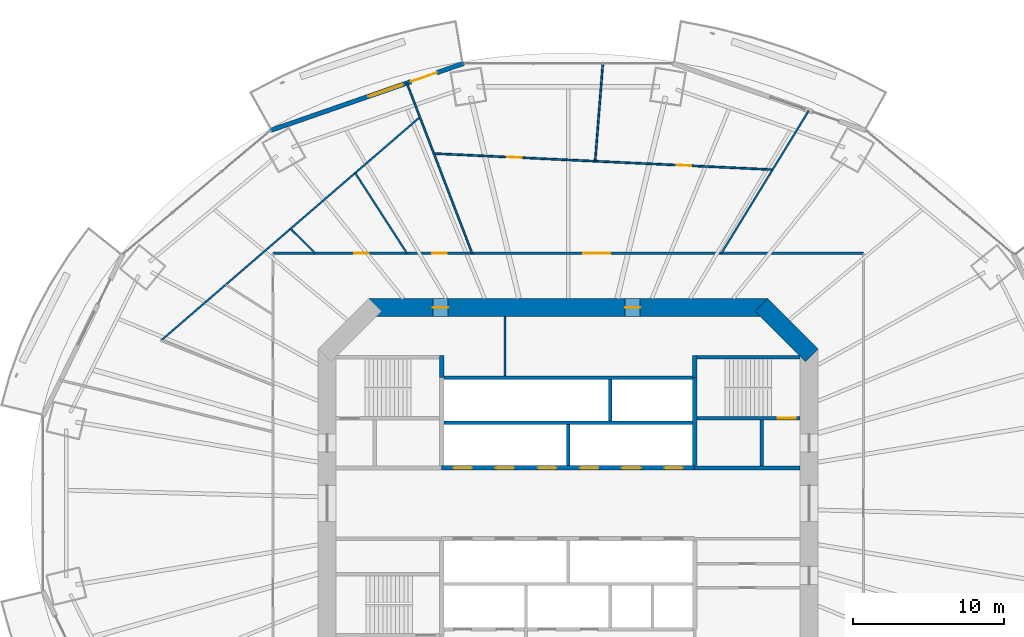
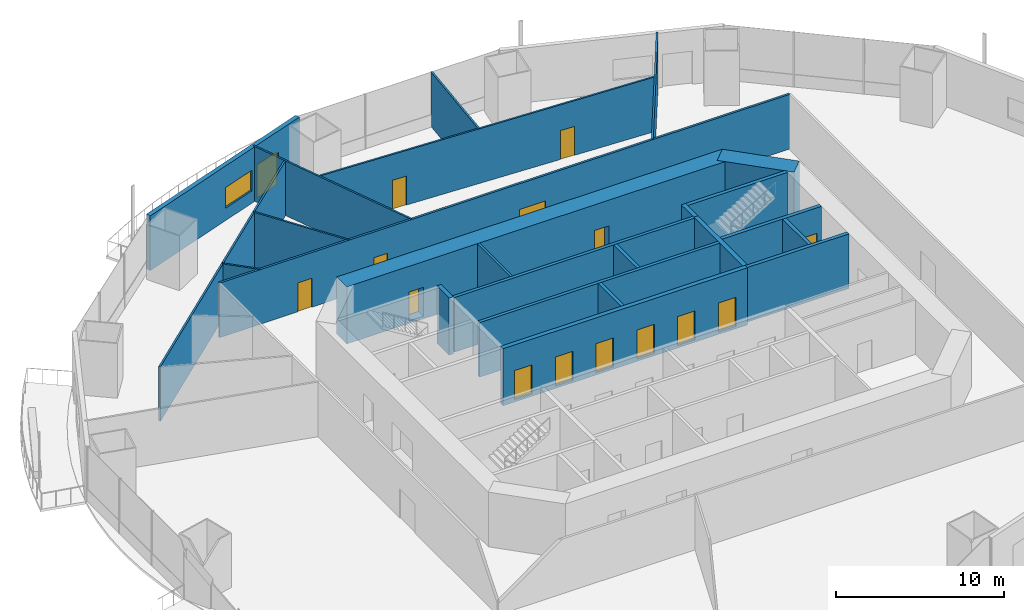
# One storey, part 15 of 22: 24 walls, 15 doors, 1 window, 16 openings.
"""IFC4 building model written with IfcOpenShell, lengths in metres."""

from ifc_helpers import new_model, si_unit, direction, frame, frame_2d, origin, place, context, subcontext, project, spatial, rectangle, extrude, material, layer, layer_set, type_object, element, fill, save


model = new_model("IFC4")

# Units and contexts
model_context = context("Model", 3, precision=1e-05, world=origin(), true_north=direction((0.0, 1.0)))
body_context = subcontext(model_context, "Body", "Model", "MODEL_VIEW")
ifc_project = project(units=[si_unit("LENGTHUNIT", "METRE"), si_unit("AREAUNIT", "SQUARE_METRE"), si_unit("VOLUMEUNIT", "CUBIC_METRE"), si_unit("PLANEANGLEUNIT", "RADIAN"), si_unit("MASSUNIT", "GRAM", prefix="KILO")], contexts=[model_context])

# Site, building, storey
site_placement = place(None, origin())
site = spatial("IfcSite", under=ifc_project, at=site_placement, CompositionType="ELEMENT")
building_placement = place(site_placement, origin())
building = spatial("IfcBuilding", under=site, at=building_placement, Name="Marenthal Gate Tower", CompositionType="ELEMENT")
storey_placement = place(building_placement, frame((0.0, 0.0, 74.5)))
storey = spatial("IfcBuildingStorey", under=building, at=storey_placement, Name="L14", CompositionType="ELEMENT", Elevation=74.5)

# Wall
ifc_material_1 = material(Name="Concrete 60 MPa", Category="concrete")
ifc_layer_1 = layer(ifc_material_1, 1.199951171875)
ifc_layer_set_1 = layer_set([ifc_layer_1], Name="Core shear wall 1200")
wall_type_1 = type_object("IfcWallType", Name="Core shear wall 1200", PredefinedType="SHEAR", material=ifc_layer_set_1)
wall_1_placement = place(storey_placement, frame((16.17578125, 9.82421875, -0.179931640625), z_axis=(0.0, 0.0, 1.0), x_axis=(-0.707106781187, 0.707106781187, 0.0)))
element("IfcWall", 1, at=wall_1_placement, inside=storey, type_object=wall_type_1, Name="Core wall 03", PredefinedType="SHEAR", context=body_context, shape_type="SweptSolid", body=[
    extrude(rectangle(XDim=4.73974609375, YDim=1.199951171875, at=frame_2d((2.369873046875, 0.0))), origin(), (0.0, 0.0, 1.0), 4.14990234375),
])

# Wall, openings, doors
wall_2_placement = place(storey_placement, frame((13.24853515625, 13.0, -0.179931640625), z_axis=(0.0, 0.0, 1.0), x_axis=(-1.0, 0.0, 0.0)))
wall_2 = element("IfcWall", 2, at=wall_2_placement, inside=storey, type_object=wall_type_1, Name="Core wall 04", PredefinedType="SHEAR", context=body_context, shape_type="SweptSolid", body=[
    extrude(rectangle(XDim=26.4970703125, YDim=1.199951171875, at=frame_2d((13.24853515625, 0.0))), origin(), (0.0, 0.0, 1.0), 4.14990234375),
])
opening_1_placement = place(wall_2_placement, frame((21.224609375, 0.0, 0.179931640625)))
opening_1 = element("IfcOpeningElement", 3, at=opening_1_placement, cuts=wall_2, Name="Opening D005.01", PredefinedType="OPENING", context=body_context, shape_type="SweptSolid", body=[
    extrude(rectangle(XDim=1.0, YDim=2.10009765625, at=frame_2d((0.5, 1.050048828125))), frame((0.0, 0.60986328125, 0.0), z_axis=(0.0, -1.0, 0.0), x_axis=(1.0, 0.0, 0.0)), (0.0, 0.0, 1.0), 1.219970703125),
])
opening_2_placement = place(wall_2_placement, frame((8.472412109375, 0.0, 0.179931640625)))
opening_2 = element("IfcOpeningElement", 4, at=opening_2_placement, cuts=wall_2, Name="Opening D005.02", PredefinedType="OPENING", context=body_context, shape_type="SweptSolid", body=[
    extrude(rectangle(XDim=1.0, YDim=2.10009765625, at=frame_2d((0.5, 1.050048828125))), frame((0.0, 0.60986328125, 0.0), z_axis=(0.0, -1.0, 0.0), x_axis=(1.0, 0.0, 0.0)), (0.0, 0.0, 1.0), 1.219970703125),
])
ifc_material_2 = material(Name="Steel fire door", Category="steel")
door_type_1 = type_object("IfcDoorType", Name="Fire door FD 45 1000 x 2100", OperationType="NOTDEFINED", PredefinedType="DOOR", material=ifc_material_2)
door_1_placement = place(opening_1_placement, origin())
door_1 = element("IfcDoor", 5, at=door_1_placement, inside=storey, type_object=door_type_1, Name="Door D005.01", OperationType="SINGLE_SWING_RIGHT", OverallHeight=2.10009765625, OverallWidth=1.0, PredefinedType="DOOR", context=body_context, shape_type="SweptSolid", body=[
    extrude(rectangle(XDim=1.0, YDim=2.10009765625, at=frame_2d((0.5, 1.050048828125))), frame((0.0, 0.02490234375, 0.0), z_axis=(0.0, -1.0, 0.0), x_axis=(1.0, 0.0, 0.0)), (0.0, 0.0, 1.0), 0.050048828125),
])
fill(opening_1, door_1)
door_2_placement = place(opening_2_placement, origin())
door_2 = element("IfcDoor", 6, at=door_2_placement, inside=storey, type_object=door_type_1, Name="Door D005.02", OperationType="SINGLE_SWING_RIGHT", OverallHeight=2.10009765625, OverallWidth=1.0, PredefinedType="DOOR", context=body_context, shape_type="SweptSolid", body=[
    extrude(rectangle(XDim=1.0, YDim=2.10009765625, at=frame_2d((0.5, 1.050048828125))), frame((0.0, 0.02490234375, 0.0), z_axis=(0.0, -1.0, 0.0), x_axis=(1.0, 0.0, 0.0)), (0.0, 0.0, 1.0), 0.050048828125),
])
fill(opening_2, door_2)

ifc_material_3 = material(Name="Concrete 50 MPa", Category="concrete")
ifc_layer_2 = layer(ifc_material_3, 0.300048828125)
ifc_layer_set_2 = layer_set([ifc_layer_2], Name="Hoistway shear wall 300")
wall_type_2 = type_object("IfcWallType", Name="Hoistway shear wall 300", PredefinedType="SHEAR", material=ifc_layer_set_2)
wall_3_placement = place(storey_placement, frame((-8.39990234375, 2.35009765625, -0.179931640625), z_axis=(0.0, 0.0, 1.0), x_axis=(1.0, 0.0, 0.0)))
wall_3 = element("IfcWall", 7, at=wall_3_placement, inside=storey, type_object=wall_type_2, Name="Hoistway wall 20", PredefinedType="SHEAR", context=body_context, shape_type="SweptSolid", body=[
    extrude(rectangle(XDim=16.7998046875, YDim=0.300048828125, at=frame_2d((8.39990234375, 0.0))), origin(), (0.0, 0.0, 1.0), 4.14990234375),
])
opening_3_placement = place(wall_3_placement, frame((0.800048828125, 0.0, 0.179931640625)))
opening_3 = element("IfcOpeningElement", 8, at=opening_3_placement, cuts=wall_3, Name="Opening LD-LP1", PredefinedType="OPENING", context=body_context, shape_type="SweptSolid", body=[
    extrude(rectangle(XDim=1.199951171875, YDim=2.10009765625, at=frame_2d((0.60009765625, 1.050048828125))), frame((0.0, 0.16015625, 0.0), z_axis=(0.0, -1.0, 0.0), x_axis=(1.0, 0.0, 0.0)), (0.0, 0.0, 1.0), 0.320068359375),
])
opening_4_placement = place(wall_3_placement, frame((3.60009765625, 0.0, 0.179931640625)))
opening_4 = element("IfcOpeningElement", 9, at=opening_4_placement, cuts=wall_3, Name="Opening LD-LP2", PredefinedType="OPENING", context=body_context, shape_type="SweptSolid", body=[
    extrude(rectangle(XDim=1.199951171875, YDim=2.10009765625, at=frame_2d((0.60009765625, 1.050048828125))), frame((0.0, 0.16015625, 0.0), z_axis=(0.0, -1.0, 0.0), x_axis=(1.0, 0.0, 0.0)), (0.0, 0.0, 1.0), 0.320068359375),
])
opening_5_placement = place(wall_3_placement, frame((6.39990234375, 0.0, 0.179931640625)))
opening_5 = element("IfcOpeningElement", 10, at=opening_5_placement, cuts=wall_3, Name="Opening LD-LP3", PredefinedType="OPENING", context=body_context, shape_type="SweptSolid", body=[
    extrude(rectangle(XDim=1.199951171875, YDim=2.10009765625, at=frame_2d((0.60009765625, 1.050048828125))), frame((0.0, 0.16015625, 0.0), z_axis=(0.0, -1.0, 0.0), x_axis=(1.0, 0.0, 0.0)), (0.0, 0.0, 1.0), 0.320068359375),
])
opening_6_placement = place(wall_3_placement, frame((9.199951171875, 0.0, 0.179931640625)))
opening_6 = element("IfcOpeningElement", 11, at=opening_6_placement, cuts=wall_3, Name="Opening LD-LP4", PredefinedType="OPENING", context=body_context, shape_type="SweptSolid", body=[
    extrude(rectangle(XDim=1.199951171875, YDim=2.10009765625, at=frame_2d((0.60009765625, 1.050048828125))), frame((0.0, 0.16015625, 0.0), z_axis=(0.0, -1.0, 0.0), x_axis=(1.0, 0.0, 0.0)), (0.0, 0.0, 1.0), 0.320068359375),
])
opening_7_placement = place(wall_3_placement, frame((12.0, 0.0, 0.179931640625)))
opening_7 = element("IfcOpeningElement", 12, at=opening_7_placement, cuts=wall_3, Name="Opening LD-LP5", PredefinedType="OPENING", context=body_context, shape_type="SweptSolid", body=[
    extrude(rectangle(XDim=1.199951171875, YDim=2.10009765625, at=frame_2d((0.60009765625, 1.050048828125))), frame((0.0, 0.16015625, 0.0), z_axis=(0.0, -1.0, 0.0), x_axis=(1.0, 0.0, 0.0)), (0.0, 0.0, 1.0), 0.320068359375),
])
opening_8_placement = place(wall_3_placement, frame((14.800048828125, 0.0, 0.179931640625)))
opening_8 = element("IfcOpeningElement", 13, at=opening_8_placement, cuts=wall_3, Name="Opening LD-LP6", PredefinedType="OPENING", context=body_context, shape_type="SweptSolid", body=[
    extrude(rectangle(XDim=1.199951171875, YDim=2.10009765625, at=frame_2d((0.60009765625, 1.050048828125))), frame((0.0, 0.16015625, 0.0), z_axis=(0.0, -1.0, 0.0), x_axis=(1.0, 0.0, 0.0)), (0.0, 0.0, 1.0), 0.320068359375),
])
ifc_material_4 = material(Name="Stainless steel sliding door", Category="steel")
door_type_2 = type_object("IfcDoorType", Name="Lift landing door FD 90 1200 x 2100", OperationType="DOUBLE_DOOR_SLIDING", PredefinedType="DOOR", material=ifc_material_4)
door_3_placement = place(opening_3_placement, origin())
door_3 = element("IfcDoor", 14, at=door_3_placement, inside=storey, type_object=door_type_2, Name="Lift landing door LP1", OperationType="DOUBLE_DOOR_SLIDING", OverallHeight=2.10009765625, OverallWidth=1.199951171875, PredefinedType="DOOR", context=body_context, shape_type="SweptSolid", body=[
    extrude(rectangle(XDim=1.199951171875, YDim=2.10009765625, at=frame_2d((0.60009765625, 1.050048828125))), frame((0.0, 0.02490234375, 0.0), z_axis=(0.0, -1.0, 0.0), x_axis=(1.0, 0.0, 0.0)), (0.0, 0.0, 1.0), 0.050048828125),
])
fill(opening_3, door_3)
door_4_placement = place(opening_4_placement, origin())
door_4 = element("IfcDoor", 15, at=door_4_placement, inside=storey, type_object=door_type_2, Name="Lift landing door LP2", OperationType="DOUBLE_DOOR_SLIDING", OverallHeight=2.10009765625, OverallWidth=1.199951171875, PredefinedType="DOOR", context=body_context, shape_type="SweptSolid", body=[
    extrude(rectangle(XDim=1.199951171875, YDim=2.10009765625, at=frame_2d((0.60009765625, 1.050048828125))), frame((0.0, 0.02490234375, 0.0), z_axis=(0.0, -1.0, 0.0), x_axis=(1.0, 0.0, 0.0)), (0.0, 0.0, 1.0), 0.050048828125),
])
fill(opening_4, door_4)
door_5_placement = place(opening_5_placement, origin())
door_5 = element("IfcDoor", 16, at=door_5_placement, inside=storey, type_object=door_type_2, Name="Lift landing door LP3", OperationType="DOUBLE_DOOR_SLIDING", OverallHeight=2.10009765625, OverallWidth=1.199951171875, PredefinedType="DOOR", context=body_context, shape_type="SweptSolid", body=[
    extrude(rectangle(XDim=1.199951171875, YDim=2.10009765625, at=frame_2d((0.60009765625, 1.050048828125))), frame((0.0, 0.02490234375, 0.0), z_axis=(0.0, -1.0, 0.0), x_axis=(1.0, 0.0, 0.0)), (0.0, 0.0, 1.0), 0.050048828125),
])
fill(opening_5, door_5)
door_6_placement = place(opening_6_placement, origin())
door_6 = element("IfcDoor", 17, at=door_6_placement, inside=storey, type_object=door_type_2, Name="Lift landing door LP4", OperationType="DOUBLE_DOOR_SLIDING", OverallHeight=2.10009765625, OverallWidth=1.199951171875, PredefinedType="DOOR", context=body_context, shape_type="SweptSolid", body=[
    extrude(rectangle(XDim=1.199951171875, YDim=2.10009765625, at=frame_2d((0.60009765625, 1.050048828125))), frame((0.0, 0.02490234375, 0.0), z_axis=(0.0, -1.0, 0.0), x_axis=(1.0, 0.0, 0.0)), (0.0, 0.0, 1.0), 0.050048828125),
])
fill(opening_6, door_6)
door_7_placement = place(opening_7_placement, origin())
door_7 = element("IfcDoor", 18, at=door_7_placement, inside=storey, type_object=door_type_2, Name="Lift landing door LP5", OperationType="DOUBLE_DOOR_SLIDING", OverallHeight=2.10009765625, OverallWidth=1.199951171875, PredefinedType="DOOR", context=body_context, shape_type="SweptSolid", body=[
    extrude(rectangle(XDim=1.199951171875, YDim=2.10009765625, at=frame_2d((0.60009765625, 1.050048828125))), frame((0.0, 0.02490234375, 0.0), z_axis=(0.0, -1.0, 0.0), x_axis=(1.0, 0.0, 0.0)), (0.0, 0.0, 1.0), 0.050048828125),
])
fill(opening_7, door_7)
door_8_placement = place(opening_8_placement, origin())
door_8 = element("IfcDoor", 19, at=door_8_placement, inside=storey, type_object=door_type_2, Name="Lift landing door LP6", OperationType="DOUBLE_DOOR_SLIDING", OverallHeight=2.10009765625, OverallWidth=1.199951171875, PredefinedType="DOOR", context=body_context, shape_type="SweptSolid", body=[
    extrude(rectangle(XDim=1.199951171875, YDim=2.10009765625, at=frame_2d((0.60009765625, 1.050048828125))), frame((0.0, 0.02490234375, 0.0), z_axis=(0.0, -1.0, 0.0), x_axis=(1.0, 0.0, 0.0)), (0.0, 0.0, 1.0), 0.050048828125),
])
fill(opening_8, door_8)

# Walls
wall_4_placement = place(storey_placement, frame((8.39990234375, 2.5, -0.179931640625), z_axis=(0.0, 0.0, 1.0), x_axis=(0.0, 1.0, 0.0)))
element("IfcWall", 20, at=wall_4_placement, inside=storey, type_object=wall_type_2, Name="Hoistway wall 44", PredefinedType="SHEAR", context=body_context, shape_type="SweptSolid", body=[
    extrude(rectangle(XDim=5.85009765625, YDim=0.300048828125, at=frame_2d((2.925048828125, 0.0))), origin(), (0.0, 0.0, 1.0), 4.14990234375),
])
ifc_material_5 = material(Name="Concrete 40 MPa", Category="concrete")
ifc_layer_3 = layer(ifc_material_5, 0.219970703125)
ifc_layer_set_3 = layer_set([ifc_layer_3], Name="Hoistway wall 220")
wall_type_3 = type_object("IfcWallType", Name="Hoistway wall 220", PredefinedType="STANDARD", material=ifc_layer_set_3)
for number, where, z_axis, x_axis, name in (
    (21, (-8.25, 5.35009765625, 0.0), (0.0, 0.0, 1.0), (1.0, 0.0, 0.0), "Hoistway wall 22"),
    (22, (-8.25, 8.35009765625, 0.0), (0.0, 0.0, 1.0), (1.0, 0.0, 0.0), "Hoistway wall 25"),
):
    element("IfcWall", number, at=place(storey_placement, frame(where, z_axis=z_axis, x_axis=x_axis)), inside=storey, type_object=wall_type_3, Name=name, PredefinedType="STANDARD", context=body_context, shape_type="SweptSolid", body=[
        extrude(rectangle(XDim=16.5, YDim=0.219970703125, at=frame_2d((8.25, 0.0))), origin(), (0.0, 0.0, 1.0), 3.969970703125),
    ])
wall_5_placement = place(storey_placement, frame((0.0, 2.5, 0.0), z_axis=(0.0, 0.0, 1.0), x_axis=(0.0, 1.0, 0.0)))
element("IfcWall", 23, at=wall_5_placement, inside=storey, type_object=wall_type_3, Name="Hoistway wall 38", PredefinedType="STANDARD", context=body_context, shape_type="SweptSolid", body=[
    extrude(rectangle(XDim=2.739990234375, YDim=0.219970703125, at=frame_2d((1.3701171875, 0.0))), origin(), (0.0, 0.0, 1.0), 3.969970703125),
])
wall_6_placement = place(storey_placement, frame((2.800048828125, 5.4599609375, 0.0), z_axis=(0.0, 0.0, 1.0), x_axis=(0.0, 1.0, 0.0)))
element("IfcWall", 24, at=wall_6_placement, inside=storey, type_object=wall_type_3, Name="Hoistway wall 40", PredefinedType="STANDARD", context=body_context, shape_type="SweptSolid", body=[
    extrude(rectangle(XDim=2.780029296875, YDim=0.219970703125, at=frame_2d((1.39013671875, 0.0))), origin(), (0.0, 0.0, 1.0), 3.969970703125),
])
ifc_material_6 = material(Name="Gypsum board on steel studs", Category="steel")
ifc_layer_4 = layer(ifc_material_6, 0.1201171875)
ifc_layer_set_4 = layer_set([ifc_layer_4], Name="Partition 120")
wall_type_4 = type_object("IfcWallType", Name="Partition 120", PredefinedType="PARTITIONING", material=ifc_layer_set_4)
wall_7_placement = place(storey_placement, frame((-18.4345703125, 18.22900390625, 0.0), z_axis=(0.0, 0.0, 1.0), x_axis=(0.711099857719, -0.703091027074, 0.0)))
element("IfcWall", 25, at=wall_7_placement, inside=storey, type_object=wall_type_4, Name="Partition wall 52", PredefinedType="PARTITIONING", context=body_context, shape_type="SweptSolid", body=[
    extrude(rectangle(XDim=2.31689453125, YDim=0.1201171875, at=frame_2d((1.158447265625, 0.0))), origin(), (0.0, 0.0, 1.0), 3.969970703125),
])
wall_8_placement = place(storey_placement, frame((-14.140625, 21.93408203125, 0.0), z_axis=(0.0, 0.0, 1.0), x_axis=(0.541842063077, -0.840480326171, 0.0)))
element("IfcWall", 26, at=wall_8_placement, inside=storey, type_object=wall_type_4, Name="Partition wall 53", PredefinedType="PARTITIONING", context=body_context, shape_type="SweptSolid", body=[
    extrude(rectangle(XDim=6.346435546875, YDim=0.1201171875, at=frame_2d((3.17333984375, 0.0))), origin(), (0.0, 0.0, 1.0), 3.969970703125),
])
wall_9_placement = place(storey_placement, frame((-9.8466796875, 25.639404296875, 0.0), z_axis=(0.0, 0.0, 1.0), x_axis=(-0.757112580358, -0.653284425548, 0.0)))
element("IfcWall", 27, at=wall_9_placement, inside=storey, type_object=wall_type_4, Name="Partition wall 54", PredefinedType="PARTITIONING", context=body_context, shape_type="SweptSolid", body=[
    extrude(rectangle(XDim=22.686279296875, YDim=0.1201171875, at=frame_2d((11.34326171875, 0.0))), origin(), (0.0, 0.0, 1.0), 3.969970703125),
])
wall_10_placement = place(storey_placement, frame((-6.375, 16.60009765625, 0.0), z_axis=(0.0, 0.0, 1.0), x_axis=(-0.358534397195, 0.933516516205, 0.0)))
element("IfcWall", 28, at=wall_10_placement, inside=storey, type_object=wall_type_4, Name="Partition wall 55", PredefinedType="PARTITIONING", context=body_context, shape_type="SweptSolid", body=[
    extrude(rectangle(XDim=12.10498046875, YDim=0.1201171875, at=frame_2d((6.052490234375, 0.0))), origin(), (0.0, 0.0, 1.0), 3.969970703125),
])
wall_11_placement = place(storey_placement, frame((2.302001953125, 29.211669921875, 0.0), z_axis=(0.0, 0.0, 1.0), x_axis=(-0.078544698075, -0.996910592984, 0.0)))
element("IfcWall", 29, at=wall_11_placement, inside=storey, type_object=wall_type_4, Name="Partition wall 57", PredefinedType="PARTITIONING", context=body_context, shape_type="SweptSolid", body=[
    extrude(rectangle(XDim=6.514892578125, YDim=0.1201171875, at=frame_2d((3.25732421875, 0.0))), origin(), (0.0, 0.0, 1.0), 3.969970703125),
])
wall_12_placement = place(storey_placement, frame((10.168701171875, 16.60009765625, 0.0), z_axis=(0.0, 0.0, 1.0), x_axis=(0.522354417251, 0.852728481276, 0.0)))
element("IfcWall", 30, at=wall_12_placement, inside=storey, type_object=wall_type_4, Name="Partition wall 58", PredefinedType="PARTITIONING", context=body_context, shape_type="SweptSolid", body=[
    extrude(rectangle(XDim=11.112060546875, YDim=0.1201171875, at=frame_2d((5.55615234375, 0.0))), origin(), (0.0, 0.0, 1.0), 3.969970703125),
])

# Wall, openings, doors
wall_13_placement = place(storey_placement, frame((13.572265625, 22.15625, 0.0), z_axis=(0.0, 0.0, 1.0), x_axis=(-0.998870221803, 0.047521363561, 0.0)))
wall_13 = element("IfcWall", 31, at=wall_13_placement, inside=storey, type_object=wall_type_4, Name="Partition wall 59", PredefinedType="PARTITIONING", context=body_context, shape_type="SweptSolid", body=[
    extrude(rectangle(XDim=22.517578125, YDim=0.1201171875, at=frame_2d((11.2587890625, 0.0))), origin(), (0.0, 0.0, 1.0), 3.969970703125),
])
opening_9_placement = place(wall_13_placement, frame((5.423095703125, 0.0, 0.0)))
opening_9 = element("IfcOpeningElement", 32, at=opening_9_placement, cuts=wall_13, Name="Opening D016.01", PredefinedType="OPENING", context=body_context, shape_type="SweptSolid", body=[
    extrude(rectangle(XDim=0.949951171875, YDim=2.10009765625, at=frame_2d((0.47509765625, 1.050048828125))), frame((0.0, 0.070068359375, 0.0), z_axis=(0.0, -1.0, 0.0), x_axis=(1.0, 0.0, 0.0)), (0.0, 0.0, 1.0), 0.14013671875),
])
opening_10_placement = place(wall_13_placement, frame((16.681884765625, 0.0, 0.0)))
opening_10 = element("IfcOpeningElement", 33, at=opening_10_placement, cuts=wall_13, Name="Opening D016.02", PredefinedType="OPENING", context=body_context, shape_type="SweptSolid", body=[
    extrude(rectangle(XDim=0.949951171875, YDim=2.10009765625, at=frame_2d((0.47509765625, 1.050048828125))), frame((0.0, 0.070068359375, 0.0), z_axis=(0.0, -1.0, 0.0), x_axis=(1.0, 0.0, 0.0)), (0.0, 0.0, 1.0), 0.14013671875),
])
ifc_material_7 = material(Name="Timber door", Category="wood")
door_type_3 = type_object("IfcDoorType", Name="Door 950 x 2100", OperationType="NOTDEFINED", PredefinedType="DOOR", material=ifc_material_7)
door_9_placement = place(opening_9_placement, frame((0.949951171875, 0.0, 0.0), z_axis=(0.0, 0.0, 1.0), x_axis=(-1.0, 0.0, 0.0)))
door_9 = element("IfcDoor", 34, at=door_9_placement, inside=storey, type_object=door_type_3, Name="Door D016.01", OperationType="SINGLE_SWING_LEFT", OverallHeight=2.10009765625, OverallWidth=0.949951171875, PredefinedType="DOOR", context=body_context, shape_type="SweptSolid", body=[
    extrude(rectangle(XDim=0.949951171875, YDim=2.10009765625, at=frame_2d((0.47509765625, 1.050048828125))), frame((0.0, 0.02490234375, 0.0), z_axis=(0.0, -1.0, 0.0), x_axis=(1.0, 0.0, 0.0)), (0.0, 0.0, 1.0), 0.050048828125),
])
fill(opening_9, door_9)
door_10_placement = place(opening_10_placement, frame((0.949951171875, 0.0, 0.0), z_axis=(0.0, 0.0, 1.0), x_axis=(-1.0, 0.0, 0.0)))
door_10 = element("IfcDoor", 35, at=door_10_placement, inside=storey, type_object=door_type_3, Name="Door D016.02", OperationType="SINGLE_SWING_LEFT", OverallHeight=2.10009765625, OverallWidth=0.949951171875, PredefinedType="DOOR", context=body_context, shape_type="SweptSolid", body=[
    extrude(rectangle(XDim=0.949951171875, YDim=2.10009765625, at=frame_2d((0.47509765625, 1.050048828125))), frame((0.0, 0.02490234375, 0.0), z_axis=(0.0, -1.0, 0.0), x_axis=(1.0, 0.0, 0.0)), (0.0, 0.0, 1.0), 0.050048828125),
])
fill(opening_10, door_10)

# Wall
ifc_material_8 = material(Name="Gypsum board on steel studs", Category="steel")
ifc_layer_5 = layer(ifc_material_8, 0.14990234375)
ifc_layer_set_5 = layer_set([ifc_layer_5], Name="Partition 150")
wall_type_5 = type_object("IfcWallType", Name="Partition 150", PredefinedType="PARTITIONING", material=ifc_layer_set_5)
wall_14_placement = place(storey_placement, frame((-4.199951171875, 8.4599609375, 0.0), z_axis=(0.0, 0.0, 1.0), x_axis=(0.0, 1.0, 0.0)))
element("IfcWall", 36, at=wall_14_placement, inside=storey, type_object=wall_type_5, Name="Partition wall 34", PredefinedType="PARTITIONING", context=body_context, shape_type="SweptSolid", body=[
    extrude(rectangle(XDim=3.93994140625, YDim=0.14990234375, at=frame_2d((1.969970703125, 0.0))), origin(), (0.0, 0.0, 1.0), 3.969970703125),
])

# Wall, openings, doors
wall_15_placement = place(storey_placement, frame((-19.60009765625, 16.60009765625, 0.0), z_axis=(0.0, 0.0, 1.0), x_axis=(1.0, 0.0, 0.0)))
wall_15 = element("IfcWall", 37, at=wall_15_placement, inside=storey, type_object=wall_type_5, Name="Partition wall 51", PredefinedType="PARTITIONING", context=body_context, shape_type="SweptSolid", body=[
    extrude(rectangle(XDim=39.2001953125, YDim=0.14990234375, at=frame_2d((19.60009765625, 0.0))), origin(), (0.0, 0.0, 1.0), 3.969970703125),
])
opening_11_placement = place(wall_15_placement, frame((20.596923828125, 0.0, 0.0)))
opening_11 = element("IfcOpeningElement", 38, at=opening_11_placement, cuts=wall_15, Name="Opening D014.01", PredefinedType="OPENING", context=body_context, shape_type="SweptSolid", body=[
    extrude(rectangle(XDim=1.800048828125, YDim=2.10009765625, at=frame_2d((0.89990234375, 1.050048828125))), frame((0.0, 0.0849609375, 0.0), z_axis=(0.0, -1.0, 0.0), x_axis=(1.0, 0.0, 0.0)), (0.0, 0.0, 1.0), 0.169921875),
])
opening_12_placement = place(wall_15_placement, frame((10.5869140625, 0.0, 0.0)))
opening_12 = element("IfcOpeningElement", 39, at=opening_12_placement, cuts=wall_15, Name="Opening D016.03", PredefinedType="OPENING", context=body_context, shape_type="SweptSolid", body=[
    extrude(rectangle(XDim=0.949951171875, YDim=2.10009765625, at=frame_2d((0.47509765625, 1.050048828125))), frame((0.0, 0.0849609375, 0.0), z_axis=(0.0, -1.0, 0.0), x_axis=(1.0, 0.0, 0.0)), (0.0, 0.0, 1.0), 0.169921875),
])
opening_13_placement = place(wall_15_placement, frame((5.381103515625, 0.0, 0.0)))
opening_13 = element("IfcOpeningElement", 40, at=opening_13_placement, cuts=wall_15, Name="Opening D016.04", PredefinedType="OPENING", context=body_context, shape_type="SweptSolid", body=[
    extrude(rectangle(XDim=0.949951171875, YDim=2.10009765625, at=frame_2d((0.47509765625, 1.050048828125))), frame((0.0, 0.0849609375, 0.0), z_axis=(0.0, -1.0, 0.0), x_axis=(1.0, 0.0, 0.0)), (0.0, 0.0, 1.0), 0.169921875),
])
door_11_placement = place(opening_12_placement, origin())
door_11 = element("IfcDoor", 41, at=door_11_placement, inside=storey, type_object=door_type_3, Name="Door D016.03", OperationType="SINGLE_SWING_RIGHT", OverallHeight=2.10009765625, OverallWidth=0.949951171875, PredefinedType="DOOR", context=body_context, shape_type="SweptSolid", body=[
    extrude(rectangle(XDim=0.949951171875, YDim=2.10009765625, at=frame_2d((0.47509765625, 1.050048828125))), frame((0.0, 0.02490234375, 0.0), z_axis=(0.0, -1.0, 0.0), x_axis=(1.0, 0.0, 0.0)), (0.0, 0.0, 1.0), 0.050048828125),
])
fill(opening_12, door_11)
door_12_placement = place(opening_13_placement, origin())
door_12 = element("IfcDoor", 42, at=door_12_placement, inside=storey, type_object=door_type_3, Name="Door D016.04", OperationType="SINGLE_SWING_RIGHT", OverallHeight=2.10009765625, OverallWidth=0.949951171875, PredefinedType="DOOR", context=body_context, shape_type="SweptSolid", body=[
    extrude(rectangle(XDim=0.949951171875, YDim=2.10009765625, at=frame_2d((0.47509765625, 1.050048828125))), frame((0.0, 0.02490234375, 0.0), z_axis=(0.0, -1.0, 0.0), x_axis=(1.0, 0.0, 0.0)), (0.0, 0.0, 1.0), 0.050048828125),
])
fill(opening_13, door_12)
ifc_material_9 = material(Name="Timber door", Category="wood")
door_type_4 = type_object("IfcDoorType", Name="Double door 1800 x 2100", OperationType="DOUBLE_DOOR_SINGLE_SWING", PredefinedType="DOOR", material=ifc_material_9)
door_13_placement = place(opening_11_placement, origin())
door_13 = element("IfcDoor", 43, at=door_13_placement, inside=storey, type_object=door_type_4, Name="Door D014.01", OperationType="DOUBLE_DOOR_SINGLE_SWING", OverallHeight=2.10009765625, OverallWidth=1.800048828125, PredefinedType="DOOR", context=body_context, shape_type="SweptSolid", body=[
    extrude(rectangle(XDim=1.800048828125, YDim=2.10009765625, at=frame_2d((0.89990234375, 1.050048828125))), frame((0.0, 0.02490234375, 0.0), z_axis=(0.0, -1.0, 0.0), x_axis=(1.0, 0.0, 0.0)), (0.0, 0.0, 1.0), 0.050048828125),
])
fill(opening_11, door_13)

# Walls
ifc_material_10 = material(Name="Concrete 40 MPa", Category="concrete")
ifc_layer_6 = layer(ifc_material_10, 0.25)
ifc_layer_set_6 = layer_set([ifc_layer_6], Name="Stair enclosure wall 250")
wall_type_6 = type_object("IfcWallType", Name="Stair enclosure wall 250", PredefinedType="STANDARD", material=ifc_layer_set_6)
wall_16_placement = place(storey_placement, frame((8.39990234375, 2.35009765625, 0.0), z_axis=(0.0, 0.0, 1.0), x_axis=(1.0, 0.0, 0.0)))
element("IfcWall", 44, at=wall_16_placement, inside=storey, type_object=wall_type_6, Name="Stair wall 21", PredefinedType="STANDARD", context=body_context, shape_type="SweptSolid", body=[
    extrude(rectangle(XDim=7.0, YDim=0.25, at=frame_2d((3.5, 0.0))), origin(), (0.0, 0.0, 1.0), 3.969970703125),
])
wall_17_placement = place(storey_placement, frame((12.85009765625, 2.47509765625, 0.0), z_axis=(0.0, 0.0, 1.0), x_axis=(0.0, 1.0, 0.0)))
element("IfcWall", 45, at=wall_17_placement, inside=storey, type_object=wall_type_6, Name="Stair wall 46", PredefinedType="STANDARD", context=body_context, shape_type="SweptSolid", body=[
    extrude(rectangle(XDim=3.0498046875, YDim=0.25, at=frame_2d((1.52490234375, 0.0))), origin(), (0.0, 0.0, 1.0), 3.969970703125),
])

# Wall, opening, door
ifc_material_11 = material(Name="Concrete 50 MPa", Category="concrete")
ifc_layer_7 = layer(ifc_material_11, 0.25)
ifc_layer_set_7 = layer_set([ifc_layer_7], Name="Stair shear wall 250")
wall_type_7 = type_object("IfcWallType", Name="Stair shear wall 250", PredefinedType="SHEAR", material=ifc_layer_set_7)
wall_18_placement = place(storey_placement, frame((8.550048828125, 5.64990234375, -0.179931640625), z_axis=(0.0, 0.0, 1.0), x_axis=(1.0, 0.0, 0.0)))
wall_18 = element("IfcWall", 46, at=wall_18_placement, inside=storey, type_object=wall_type_7, Name="Stair wall 24", PredefinedType="SHEAR", context=body_context, shape_type="SweptSolid", body=[
    extrude(rectangle(XDim=6.849853515625, YDim=0.25, at=frame_2d((3.4248046875, 0.0))), origin(), (0.0, 0.0, 1.0), 4.14990234375),
])
opening_14_placement = place(wall_18_placement, frame((5.35009765625, 0.0, 0.179931640625)))
opening_14 = element("IfcOpeningElement", 47, at=opening_14_placement, cuts=wall_18, Name="Opening D001.02", PredefinedType="OPENING", context=body_context, shape_type="SweptSolid", body=[
    extrude(rectangle(XDim=1.199951171875, YDim=2.10009765625, at=frame_2d((0.60009765625, 1.050048828125))), frame((0.0, 0.135009765625, 0.0), z_axis=(0.0, -1.0, 0.0), x_axis=(1.0, 0.0, 0.0)), (0.0, 0.0, 1.0), 0.27001953125),
])
ifc_material_12 = material(Name="Steel fire door", Category="steel")
door_type_5 = type_object("IfcDoorType", Name="Fire door FD 90 1200 x 2100", OperationType="NOTDEFINED", PredefinedType="DOOR", material=ifc_material_12)
door_14_placement = place(opening_14_placement, origin())
door_14 = element("IfcDoor", 48, at=door_14_placement, inside=storey, type_object=door_type_5, Name="Door D001.02", OperationType="SINGLE_SWING_RIGHT", OverallHeight=2.10009765625, OverallWidth=1.199951171875, PredefinedType="DOOR", context=body_context, shape_type="SweptSolid", body=[
    extrude(rectangle(XDim=1.199951171875, YDim=2.10009765625, at=frame_2d((0.60009765625, 1.050048828125))), frame((0.0, 0.02490234375, 0.0), z_axis=(0.0, -1.0, 0.0), x_axis=(1.0, 0.0, 0.0)), (0.0, 0.0, 1.0), 0.050048828125),
])
fill(opening_14, door_14)

# Walls
wall_19_placement = place(storey_placement, frame((8.550048828125, 9.699951171875, -0.179931640625), z_axis=(0.0, 0.0, 1.0), x_axis=(1.0, 0.0, 0.0)))
element("IfcWall", 49, at=wall_19_placement, inside=storey, type_object=wall_type_7, Name="Stair wall 27", PredefinedType="SHEAR", context=body_context, shape_type="SweptSolid", body=[
    extrude(rectangle(XDim=6.849853515625, YDim=0.25, at=frame_2d((3.4248046875, 0.0))), origin(), (0.0, 0.0, 1.0), 4.14990234375),
])
ifc_material_13 = material(Name="Concrete 50 MPa", Category="concrete")
ifc_layer_8 = layer(ifc_material_13, 0.300048828125)
ifc_layer_set_8 = layer_set([ifc_layer_8], Name="Stair shear wall 300")
wall_type_8 = type_object("IfcWallType", Name="Stair shear wall 300", PredefinedType="SHEAR", material=ifc_layer_set_8)
for number, where, z_axis, x_axis, name in (
    (50, (-8.39990234375, 8.35009765625, -0.179931640625), (0.0, 0.0, 1.0), (0.0, 1.0, 0.0), "Stair wall 33"),
    (51, (8.39990234375, 8.35009765625, -0.179931640625), (0.0, 0.0, 1.0), (0.0, 1.0, 0.0), "Stair wall 45"),
):
    element("IfcWall", number, at=place(storey_placement, frame(where, z_axis=z_axis, x_axis=x_axis)), inside=storey, type_object=wall_type_8, Name=name, PredefinedType="SHEAR", context=body_context, shape_type="SweptSolid", body=[
        extrude(rectangle(XDim=1.474853515625, YDim=0.300048828125, at=frame_2d((0.7373046875, 0.0))), origin(), (0.0, 0.0, 1.0), 4.14990234375),
    ])

# Wall, openings, door, window
ifc_material_14 = material(Name="Terracotta cladding on insulated concrete-block backing", Category="masonry")
ifc_layer_9 = layer(ifc_material_14, 0.300048828125)
ifc_layer_set_9 = layer_set([ifc_layer_9], Name="Terracotta facade wall 300")
wall_type_9 = type_object("IfcWallType", Name="Terracotta facade wall 300", PredefinedType="SOLIDWALL", material=ifc_layer_set_9)
wall_20_placement = place(storey_placement, frame((-6.93603515625, 29.211669921875, 0.0), z_axis=(0.0, 0.0, 1.0), x_axis=(-0.94473738927, -0.327828103304, 0.0)))
wall_20 = element("IfcWall", 52, at=wall_20_placement, inside=storey, type_object=wall_type_9, Name="Terracotta facade wall L14 bay 5", PredefinedType="SOLIDWALL", context=body_context, shape_type="SweptSolid", body=[
    extrude(rectangle(XDim=13.56591796875, YDim=0.300048828125, at=frame_2d((6.782958984375, 0.0))), origin(), (0.0, 0.0, 1.0), 3.969970703125),
])
opening_15_placement = place(wall_20_placement, frame((1.89990234375, 0.0, 0.0)))
opening_15 = element("IfcOpeningElement", 53, at=opening_15_placement, cuts=wall_20, Name="Opening BD-L14-05", PredefinedType="OPENING", context=body_context, shape_type="SweptSolid", body=[
    extrude(rectangle(XDim=1.800048828125, YDim=2.39990234375, at=frame_2d((0.89990234375, 1.199951171875))), frame((0.0, 0.16015625, 0.0), z_axis=(0.0, -1.0, 0.0), x_axis=(1.0, 0.0, 0.0)), (0.0, 0.0, 1.0), 0.320068359375),
])
opening_16_placement = place(wall_20_placement, frame((4.300048828125, 0.0, 0.89990234375)))
opening_16 = element("IfcOpeningElement", 54, at=opening_16_placement, cuts=wall_20, Name="Opening WN1-L14-05", PredefinedType="OPENING", context=body_context, shape_type="SweptSolid", body=[
    extrude(rectangle(XDim=2.39990234375, YDim=1.5, at=frame_2d((1.199951171875, 0.75))), frame((0.0, 0.16015625, 0.0), z_axis=(0.0, -1.0, 0.0), x_axis=(1.0, 0.0, 0.0)), (0.0, 0.0, 1.0), 0.320068359375),
])
ifc_material_15 = material(Name="Aluminium and glass", Category="aluminium")
door_type_6 = type_object("IfcDoorType", Name="Balcony door 1800x2400", OperationType="DOUBLE_DOOR_SINGLE_SWING", PredefinedType="DOOR", material=ifc_material_15)
door_15_placement = place(opening_15_placement, origin())
door_15 = element("IfcDoor", 55, at=door_15_placement, inside=storey, type_object=door_type_6, Name="Balcony door L14 bay 5", OperationType="SINGLE_SWING_LEFT", OverallHeight=2.39990234375, OverallWidth=1.800048828125, PredefinedType="DOOR", context=body_context, shape_type="SweptSolid", body=[
    extrude(rectangle(XDim=1.800048828125, YDim=2.39990234375, at=frame_2d((0.89990234375, 1.199951171875))), frame((0.0, 0.02490234375, 0.0), z_axis=(0.0, -1.0, 0.0), x_axis=(1.0, 0.0, 0.0)), (0.0, 0.0, 1.0), 0.050048828125),
])
fill(opening_15, door_15)
ifc_material_16 = material(Name="Aluminium and glass", Category="aluminium")
window_type = type_object("IfcWindowType", Name="Window 2400x1500", PartitioningType="TRIPLE_PANEL_VERTICAL", PredefinedType="WINDOW", material=ifc_material_16)
window_placement = place(opening_16_placement, origin())
window = element("IfcWindow", 56, at=window_placement, inside=storey, type_object=window_type, Name="Window L14 bay 5", OverallHeight=1.5, OverallWidth=2.39990234375, PartitioningType="SINGLE_PANEL", PredefinedType="WINDOW", context=body_context, shape_type="SweptSolid", body=[
    extrude(rectangle(XDim=2.39990234375, YDim=1.5, at=frame_2d((1.199951171875, 0.75))), frame((0.0, 0.030029296875, 0.0), z_axis=(0.0, -1.0, 0.0), x_axis=(1.0, 0.0, 0.0)), (0.0, 0.0, 1.0), 0.06005859375),
])
fill(opening_16, window)

save(model, "model.ifc")
